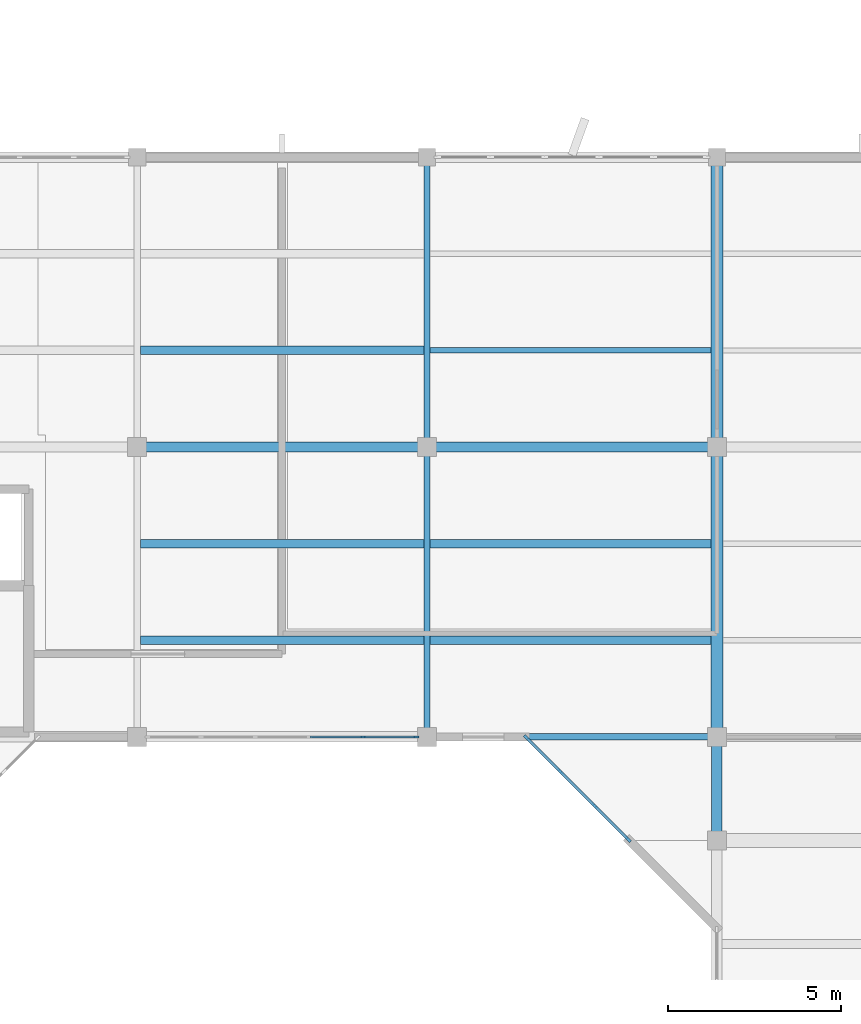
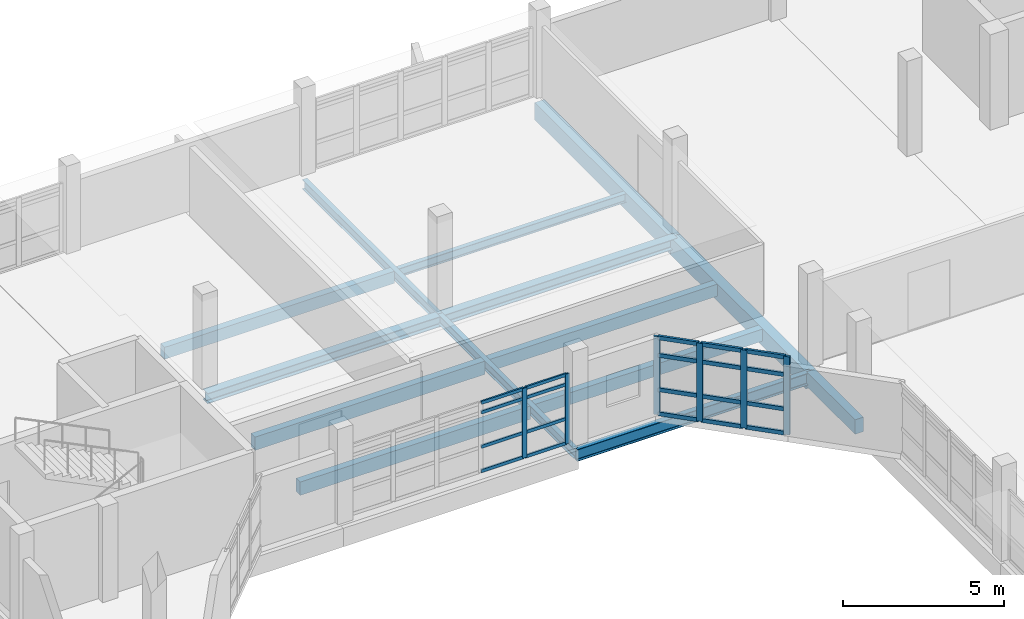
# One storey, part 16 of 51: 26 members, 14 beams, 2 elements without a shape of their own.
"""IFC4 building model written with IfcOpenShell, lengths in metres."""

from ifc_helpers import new_model, si_unit, direction, frame, origin, origin_2d, place, context, subcontext, project, spatial, rectangle, i_section, extrude, material, material_profile, profile_set, type_object, element, aggregate, save


model = new_model("IFC4")

# Units and contexts
model_context = context("Model", 3, precision=1e-05, world=origin(), true_north=direction((0.0, 1.0)))
body_context = subcontext(model_context, "Body", "Model", "MODEL_VIEW")
ifc_project = project(units=[si_unit("LENGTHUNIT", "METRE"), si_unit("AREAUNIT", "SQUARE_METRE"), si_unit("VOLUMEUNIT", "CUBIC_METRE"), si_unit("PLANEANGLEUNIT", "RADIAN"), si_unit("MASSUNIT", "GRAM", prefix="KILO")], contexts=[model_context])

# Site, building, storey
site_placement = place(None, origin())
site = spatial("IfcSite", under=ifc_project, at=site_placement, CompositionType="ELEMENT")
building_placement = place(site_placement, origin())
building = spatial("IfcBuilding", under=site, at=building_placement, Name="Vanh Quang Courtyard School", CompositionType="ELEMENT")
storey_placement = place(building_placement, frame((0.0, 0.0, 11.39990234375)))
storey = spatial("IfcBuildingStorey", under=building, at=storey_placement, Name="L03", CompositionType="ELEMENT", Elevation=11.39990234375)

# Beams
ifc_material_1 = material(Name="Concrete C35/45", Category="concrete")
ifc_material_profile_1 = material_profile(ifc_material_1, rectangle(XDim=0.300048828125, YDim=0.550048828125, at=origin_2d()), Name="RC-BM 300x550")
ifc_profile_set_1 = profile_set([ifc_material_profile_1], Name="Concrete C35/45")
beam_type_1 = type_object("IfcBeamType", Name="BM-RC-300x550", PredefinedType="BEAM", material=ifc_profile_set_1)
beam_1_placement = place(storey_placement, frame((66.0, 68.39990234375, -0.574951171875), z_axis=(0.0, 1.0, 0.0), x_axis=(-1.0, 0.0, 0.0)))
element("IfcBeam", 1, at=beam_1_placement, inside=storey, type_object=beam_type_1, Name="Beam B-07 (L03)", PredefinedType="BEAM", context=body_context, shape_type="SweptSolid", body=[
    extrude(rectangle(XDim=0.300048828125, YDim=0.550048828125, at=origin_2d()), origin(), (0.0, 0.0, 1.0), 3.0),
])
ifc_material_profile_2 = material_profile(ifc_material_1, rectangle(XDim=0.35009765625, YDim=0.64990234375, at=origin_2d()), Name="RC-BM 350x650")
ifc_profile_set_2 = profile_set([ifc_material_profile_2], Name="Concrete C35/45")
beam_type_2 = type_object("IfcBeamType", Name="BM-RC-350x650", PredefinedType="BEAM", material=ifc_profile_set_2)
beam_2_placement = place(storey_placement, frame((66.0, 71.39990234375, -0.625), z_axis=(0.0, 1.0, 0.0), x_axis=(-1.0, 0.0, 0.0)))
element("IfcBeam", 2, at=beam_2_placement, inside=storey, type_object=beam_type_2, Name="Beam B-05 (L03)", PredefinedType="BEAM", context=body_context, shape_type="SweptSolid", body=[
    extrude(rectangle(XDim=0.35009765625, YDim=0.64990234375, at=origin_2d()), origin(), (0.0, 0.0, 1.0), 8.400146484375),
])
beam_3_placement = place(storey_placement, frame((66.0, 79.800048828125, -0.625), z_axis=(0.0, 1.0, 0.0), x_axis=(-1.0, 0.0, 0.0)))
element("IfcBeam", 3, at=beam_3_placement, inside=storey, type_object=beam_type_2, Name="Beam B-05 (L03)", PredefinedType="BEAM", context=body_context, shape_type="SweptSolid", body=[
    extrude(rectangle(XDim=0.35009765625, YDim=0.64990234375, at=origin_2d()), origin(), (0.0, 0.0, 1.0), 8.39990234375),
])
ifc_material_2 = material(Name="Structural steel EN 10025-2 S355J2", Category="steel")
ifc_material_profile_3 = material_profile(ifc_material_2, i_section(OverallWidth=0.300048828125, OverallDepth=0.389892578125, WebThickness=0.010986328125, FlangeThickness=0.01904296875, FilletRadius=0.027099609375, at=origin_2d()), Name="HEA 400")
ifc_profile_set_3 = profile_set([ifc_material_profile_3], Name="Structural steel EN 10025-2 S355J2")
beam_type_3 = type_object("IfcBeamType", Name="BM-STL-HEA400", PredefinedType="BEAM", material=ifc_profile_set_3)
beam_4_placement = place(storey_placement, frame((49.199951171875, 79.800048828125, -0.494873046875), z_axis=(1.0, 0.0, 0.0), x_axis=(0.0, 1.0, 0.0)))
element("IfcBeam", 4, at=beam_4_placement, inside=storey, type_object=beam_type_3, Name="Beam SB-08 (L03)", PredefinedType="BEAM", context=body_context, shape_type="SweptSolid", body=[
    extrude(i_section(OverallWidth=0.300048828125, OverallDepth=0.389892578125, WebThickness=0.010986328125, FlangeThickness=0.01904296875, FilletRadius=0.027099609375, at=origin_2d()), origin(), (0.0, 0.0, 1.0), 8.400146484375),
])
beam_5_placement = place(storey_placement, frame((57.60009765625, 79.800048828125, -0.494873046875), z_axis=(1.0, 0.0, 0.0), x_axis=(0.0, 1.0, 0.0)))
element("IfcBeam", 5, at=beam_5_placement, inside=storey, type_object=beam_type_3, Name="Beam SB-08 (L03)", PredefinedType="BEAM", context=body_context, shape_type="SweptSolid", body=[
    extrude(i_section(OverallWidth=0.300048828125, OverallDepth=0.389892578125, WebThickness=0.010986328125, FlangeThickness=0.01904296875, FilletRadius=0.027099609375, at=origin_2d()), origin(), (0.0, 0.0, 1.0), 8.39990234375),
])
ifc_material_profile_4 = material_profile(ifc_material_2, i_section(OverallWidth=0.169921875, OverallDepth=0.360107421875, WebThickness=0.008056640625, FlangeThickness=0.0126953125, FilletRadius=0.01806640625, at=origin_2d()), Name="IPE 360")
ifc_profile_set_4 = profile_set([ifc_material_profile_4], Name="Structural steel EN 10025-2 S355J2")
beam_type_4 = type_object("IfcBeamType", Name="BM-STL-IPE360", PredefinedType="BEAM", material=ifc_profile_set_4)
beam_6_placement = place(storey_placement, frame((57.60009765625, 71.39990234375, -0.47998046875), z_axis=(0.0, 1.0, 0.0), x_axis=(-1.0, 0.0, 0.0)))
element("IfcBeam", 6, at=beam_6_placement, inside=storey, type_object=beam_type_4, Name="Beam SB-06 (L03)", PredefinedType="BEAM", context=body_context, shape_type="SweptSolid", body=[
    extrude(i_section(OverallWidth=0.169921875, OverallDepth=0.360107421875, WebThickness=0.008056640625, FlangeThickness=0.0126953125, FilletRadius=0.01806640625, at=origin_2d()), origin(), (0.0, 0.0, 1.0), 8.400146484375),
])
beam_7_placement = place(storey_placement, frame((57.60009765625, 79.800048828125, -0.47998046875), z_axis=(0.0, 1.0, 0.0), x_axis=(-1.0, 0.0, 0.0)))
element("IfcBeam", 7, at=beam_7_placement, inside=storey, type_object=beam_type_4, Name="Beam SB-06 (L03)", PredefinedType="BEAM", context=body_context, shape_type="SweptSolid", body=[
    extrude(i_section(OverallWidth=0.169921875, OverallDepth=0.360107421875, WebThickness=0.008056640625, FlangeThickness=0.0126953125, FilletRadius=0.01806640625, at=origin_2d()), origin(), (0.0, 0.0, 1.0), 8.39990234375),
])
ifc_material_profile_5 = material_profile(ifc_material_2, i_section(OverallWidth=0.18994140625, OverallDepth=0.449951171875, WebThickness=0.009521484375, FlangeThickness=0.0146484375, FilletRadius=0.02099609375, at=origin_2d()), Name="IPE 450")
ifc_profile_set_5 = profile_set([ifc_material_profile_5], Name="Structural steel EN 10025-2 S355J2")
beam_type_5 = type_object("IfcBeamType", Name="BM-STL-IPE450", PredefinedType="BEAM", material=ifc_profile_set_5)
beam_8_placement = place(storey_placement, frame((57.60009765625, 71.39990234375, -0.52490234375), z_axis=(1.0, 0.0, 0.0), x_axis=(0.0, 1.0, 0.0)))
element("IfcBeam", 8, at=beam_8_placement, inside=storey, type_object=beam_type_5, Name="Beam SB-04 (L03)", PredefinedType="BEAM", context=body_context, shape_type="SweptSolid", body=[
    extrude(i_section(OverallWidth=0.18994140625, OverallDepth=0.449951171875, WebThickness=0.009521484375, FlangeThickness=0.0146484375, FilletRadius=0.02099609375, at=origin_2d()), origin(), (0.0, 0.0, 1.0), 8.39990234375),
])

# Curtain wall, members
ifc_material_3 = material(Name="Thermally broken aluminium unitised curtain wall", Category="aluminium")
curtain_wall_type_1 = type_object("IfcCurtainWallType", Name="CW-SYS-24", PredefinedType="NOTDEFINED", material=ifc_material_3)
curtain_wall_1_placement = place(storey_placement, origin())
curtain_wall_1 = element("IfcCurtainWall", 9, at=curtain_wall_1_placement, inside=storey, type_object=curtain_wall_type_1, Name="Curtain Wall CW-24 (L03)", PredefinedType="NOTDEFINED")
ifc_material_4 = material(Name="Anodised aluminium 6063-T6", Category="aluminium")
ifc_material_profile_6 = material_profile(ifc_material_4, rectangle(XDim=0.06005859375, YDim=0.159912109375, at=origin_2d()), Name="ALU-MUL 60x160")
ifc_profile_set_6 = profile_set([ifc_material_profile_6], Name="Anodised aluminium 6063-T6")
member_type_1 = type_object("IfcMemberType", Name="CW-MUL-60x160", PredefinedType="MULLION", material=ifc_profile_set_6)
member_1_placement = place(storey_placement, frame((57.287109375, 71.39990234375, 0.0), z_axis=(0.0, 0.0, 1.0), x_axis=(0.0, -1.0, 0.0)))
member_1 = element("IfcMember", 10, at=member_1_placement, type_object=member_type_1, Name="CW-24 mullion 1", PredefinedType="MULLION", context=body_context, shape_type="SweptSolid", body=[
    extrude(rectangle(XDim=0.06005859375, YDim=0.159912109375, at=origin_2d()), origin(), (0.0, 0.0, 1.0), 2.64013671875),
])
member_2_placement = place(storey_placement, frame((55.750244140625, 71.39990234375, 0.0), z_axis=(0.0, 0.0, 1.0), x_axis=(0.0, -1.0, 0.0)))
member_2 = element("IfcMember", 11, at=member_2_placement, type_object=member_type_1, Name="CW-24 mullion 2", PredefinedType="MULLION", context=body_context, shape_type="SweptSolid", body=[
    extrude(rectangle(XDim=0.06005859375, YDim=0.159912109375, at=origin_2d()), origin(), (0.0, 0.0, 1.0), 2.64013671875),
])

curtain_wall_type_2 = type_object("IfcCurtainWallType", Name="CW-SYS-62", PredefinedType="NOTDEFINED", material=ifc_material_3)
curtain_wall_2_placement = place(storey_placement, origin())
curtain_wall_2 = element("IfcCurtainWall", 12, at=curtain_wall_2_placement, inside=storey, type_object=curtain_wall_type_2, Name="Curtain Wall CW-62 (L03)", PredefinedType="NOTDEFINED")
ifc_material_profile_7 = material_profile(ifc_material_4, rectangle(XDim=0.080078125, YDim=0.199951171875, at=origin_2d()), Name="ALU-MUL 80x200")
ifc_profile_set_7 = profile_set([ifc_material_profile_7], Name="Anodised aluminium 6063-T6")
member_type_2 = type_object("IfcMemberType", Name="CW-MUL-80x200", PredefinedType="MULLION", material=ifc_profile_set_7)
member_3_placement = place(storey_placement, frame((63.427734375, 68.42822265625, 0.0), z_axis=(0.0, 0.0, 1.0), x_axis=(-0.707106781187, -0.707106781187, 0.0)))
member_3 = element("IfcMember", 13, at=member_3_placement, type_object=member_type_2, Name="CW-62 mullion 1", PredefinedType="MULLION", context=body_context, shape_type="SweptSolid", body=[
    extrude(rectangle(XDim=0.080078125, YDim=0.199951171875, at=origin_2d()), origin(), (0.0, 0.0, 1.0), 2.9501953125),
])
member_4_placement = place(storey_placement, frame((62.4560546875, 69.39990234375, 0.0), z_axis=(0.0, 0.0, 1.0), x_axis=(-0.707106781187, -0.707106781187, 0.0)))
member_4 = element("IfcMember", 14, at=member_4_placement, type_object=member_type_2, Name="CW-62 mullion 2", PredefinedType="MULLION", context=body_context, shape_type="SweptSolid", body=[
    extrude(rectangle(XDim=0.080078125, YDim=0.199951171875, at=origin_2d()), origin(), (0.0, 0.0, 1.0), 2.9501953125),
])
member_5_placement = place(storey_placement, frame((61.4560546875, 70.39990234375, 0.0), z_axis=(0.0, 0.0, 1.0), x_axis=(-0.707106781187, -0.707106781187, 0.0)))
member_5 = element("IfcMember", 15, at=member_5_placement, type_object=member_type_2, Name="CW-62 mullion 3", PredefinedType="MULLION", context=body_context, shape_type="SweptSolid", body=[
    extrude(rectangle(XDim=0.080078125, YDim=0.199951171875, at=origin_2d()), origin(), (0.0, 0.0, 1.0), 2.9501953125),
])
member_6_placement = place(storey_placement, frame((60.484375, 71.371826171875, 0.0), z_axis=(0.0, 0.0, 1.0), x_axis=(-0.707106781187, -0.707106781187, 0.0)))
member_6 = element("IfcMember", 16, at=member_6_placement, type_object=member_type_2, Name="CW-62 mullion 4", PredefinedType="MULLION", context=body_context, shape_type="SweptSolid", body=[
    extrude(rectangle(XDim=0.080078125, YDim=0.199951171875, at=origin_2d()), origin(), (0.0, 0.0, 1.0), 2.9501953125),
])

# Member
ifc_material_profile_8 = material_profile(ifc_material_4, rectangle(XDim=0.06005859375, YDim=0.1201171875, at=origin_2d()), Name="ALU-TRN 60x120")
ifc_profile_set_8 = profile_set([ifc_material_profile_8], Name="Anodised aluminium 6063-T6")
member_type_3 = type_object("IfcMemberType", Name="CW-TRN-60x120", PredefinedType="USERDEFINED", material=ifc_profile_set_8)
member_7_placement = place(storey_placement, frame((57.257080078125, 71.39990234375, 0.030029296875), z_axis=(-1.0, 0.0, 0.0), x_axis=(0.0, -1.0, 0.0)))
member_7 = element("IfcMember", 17, at=member_7_placement, type_object=member_type_3, Name="CW-24 transom 1.1", ObjectType="TRANSOM", PredefinedType="USERDEFINED", context=body_context, shape_type="SweptSolid", body=[
    extrude(rectangle(XDim=0.06005859375, YDim=0.1201171875, at=origin_2d()), origin(), (0.0, 0.0, 1.0), 1.476806640625),
])

member_8_placement = place(storey_placement, frame((57.257080078125, 71.39990234375, 0.9501953125), z_axis=(-1.0, 0.0, 0.0), x_axis=(0.0, -1.0, 0.0)))
member_8 = element("IfcMember", 18, at=member_8_placement, type_object=member_type_3, Name="CW-24 transom 1.2", ObjectType="TRANSOM", PredefinedType="USERDEFINED", context=body_context, shape_type="SweptSolid", body=[
    extrude(rectangle(XDim=0.06005859375, YDim=0.1201171875, at=origin_2d()), origin(), (0.0, 0.0, 1.0), 1.476806640625),
])

member_9_placement = place(storey_placement, frame((57.257080078125, 71.39990234375, 2.25), z_axis=(-1.0, 0.0, 0.0), x_axis=(0.0, -1.0, 0.0)))
member_9 = element("IfcMember", 19, at=member_9_placement, type_object=member_type_3, Name="CW-24 transom 1.3", ObjectType="TRANSOM", PredefinedType="USERDEFINED", context=body_context, shape_type="SweptSolid", body=[
    extrude(rectangle(XDim=0.06005859375, YDim=0.1201171875, at=origin_2d()), origin(), (0.0, 0.0, 1.0), 1.476806640625),
])

member_10_placement = place(storey_placement, frame((57.257080078125, 71.39990234375, 2.610107421875), z_axis=(-1.0, 0.0, 0.0), x_axis=(0.0, -1.0, 0.0)))
member_10 = element("IfcMember", 20, at=member_10_placement, type_object=member_type_3, Name="CW-24 transom 1.4", ObjectType="TRANSOM", PredefinedType="USERDEFINED", context=body_context, shape_type="SweptSolid", body=[
    extrude(rectangle(XDim=0.06005859375, YDim=0.1201171875, at=origin_2d()), origin(), (0.0, 0.0, 1.0), 1.476806640625),
])

member_11_placement = place(storey_placement, frame((55.72021484375, 71.39990234375, 0.030029296875), z_axis=(-1.0, 0.0, 0.0), x_axis=(0.0, -1.0, 0.0)))
member_11 = element("IfcMember", 21, at=member_11_placement, type_object=member_type_3, Name="CW-24 transom 2.1", ObjectType="TRANSOM", PredefinedType="USERDEFINED", context=body_context, shape_type="SweptSolid", body=[
    extrude(rectangle(XDim=0.06005859375, YDim=0.1201171875, at=origin_2d()), origin(), (0.0, 0.0, 1.0), 1.5068359375),
])

member_12_placement = place(storey_placement, frame((55.72021484375, 71.39990234375, 0.9501953125), z_axis=(-1.0, 0.0, 0.0), x_axis=(0.0, -1.0, 0.0)))
member_12 = element("IfcMember", 22, at=member_12_placement, type_object=member_type_3, Name="CW-24 transom 2.2", ObjectType="TRANSOM", PredefinedType="USERDEFINED", context=body_context, shape_type="SweptSolid", body=[
    extrude(rectangle(XDim=0.06005859375, YDim=0.1201171875, at=origin_2d()), origin(), (0.0, 0.0, 1.0), 1.5068359375),
])

member_13_placement = place(storey_placement, frame((55.72021484375, 71.39990234375, 2.25), z_axis=(-1.0, 0.0, 0.0), x_axis=(0.0, -1.0, 0.0)))
member_13 = element("IfcMember", 23, at=member_13_placement, type_object=member_type_3, Name="CW-24 transom 2.3", ObjectType="TRANSOM", PredefinedType="USERDEFINED", context=body_context, shape_type="SweptSolid", body=[
    extrude(rectangle(XDim=0.06005859375, YDim=0.1201171875, at=origin_2d()), origin(), (0.0, 0.0, 1.0), 1.5068359375),
])

member_14_placement = place(storey_placement, frame((55.72021484375, 71.39990234375, 2.610107421875), z_axis=(-1.0, 0.0, 0.0), x_axis=(0.0, -1.0, 0.0)))
member_14 = element("IfcMember", 24, at=member_14_placement, type_object=member_type_3, Name="CW-24 transom 2.4", ObjectType="TRANSOM", PredefinedType="USERDEFINED", context=body_context, shape_type="SweptSolid", body=[
    extrude(rectangle(XDim=0.06005859375, YDim=0.1201171875, at=origin_2d()), origin(), (0.0, 0.0, 1.0), 1.5068359375),
])

aggregate(curtain_wall_1, [member_1, member_2, member_7, member_8, member_9, member_10, member_11, member_12, member_13, member_14])

ifc_material_profile_9 = material_profile(ifc_material_4, rectangle(XDim=0.080078125, YDim=0.14990234375, at=origin_2d()), Name="ALU-TRN 80x150")
ifc_profile_set_9 = profile_set([ifc_material_profile_9], Name="Anodised aluminium 6063-T6")
member_type_4 = type_object("IfcMemberType", Name="CW-TRN-80x150", PredefinedType="USERDEFINED", material=ifc_profile_set_9)
member_15_placement = place(storey_placement, frame((63.3994140625, 68.45654296875, 0.0400390625), z_axis=(-0.707012456265, 0.707201093527, 0.0), x_axis=(-0.707201093527, -0.707012456265, 0.0)))
member_15 = element("IfcMember", 25, at=member_15_placement, type_object=member_type_4, Name="CW-62 transom 1.1", ObjectType="TRANSOM", PredefinedType="USERDEFINED", context=body_context, shape_type="SweptSolid", body=[
    extrude(rectangle(XDim=0.080078125, YDim=0.14990234375, at=origin_2d()), origin(), (0.0, 0.0, 1.0), 1.294189453125),
])

member_16_placement = place(storey_placement, frame((63.3994140625, 68.45654296875, 0.9501953125), z_axis=(-0.707012456265, 0.707201093527, 0.0), x_axis=(-0.707201093527, -0.707012456265, 0.0)))
member_16 = element("IfcMember", 26, at=member_16_placement, type_object=member_type_4, Name="CW-62 transom 1.2", ObjectType="TRANSOM", PredefinedType="USERDEFINED", context=body_context, shape_type="SweptSolid", body=[
    extrude(rectangle(XDim=0.080078125, YDim=0.14990234375, at=origin_2d()), origin(), (0.0, 0.0, 1.0), 1.294189453125),
])

member_17_placement = place(storey_placement, frame((63.3994140625, 68.45654296875, 2.25), z_axis=(-0.707012456265, 0.707201093527, 0.0), x_axis=(-0.707201093527, -0.707012456265, 0.0)))
member_17 = element("IfcMember", 27, at=member_17_placement, type_object=member_type_4, Name="CW-62 transom 1.3", ObjectType="TRANSOM", PredefinedType="USERDEFINED", context=body_context, shape_type="SweptSolid", body=[
    extrude(rectangle(XDim=0.080078125, YDim=0.14990234375, at=origin_2d()), origin(), (0.0, 0.0, 1.0), 1.294189453125),
])

member_18_placement = place(storey_placement, frame((63.3994140625, 68.45654296875, 2.91015625), z_axis=(-0.707012456265, 0.707201093527, 0.0), x_axis=(-0.707201093527, -0.707012456265, 0.0)))
member_18 = element("IfcMember", 28, at=member_18_placement, type_object=member_type_4, Name="CW-62 transom 1.4", ObjectType="TRANSOM", PredefinedType="USERDEFINED", context=body_context, shape_type="SweptSolid", body=[
    extrude(rectangle(XDim=0.080078125, YDim=0.14990234375, at=origin_2d()), origin(), (0.0, 0.0, 1.0), 1.294189453125),
])

member_19_placement = place(storey_placement, frame((62.427734375, 69.42822265625, 0.0400390625), z_axis=(-0.707015287783, 0.707198262754, 0.0), x_axis=(-0.707198262754, -0.707015287783, 0.0)))
member_19 = element("IfcMember", 29, at=member_19_placement, type_object=member_type_4, Name="CW-62 transom 2.1", ObjectType="TRANSOM", PredefinedType="USERDEFINED", context=body_context, shape_type="SweptSolid", body=[
    extrude(rectangle(XDim=0.080078125, YDim=0.14990234375, at=origin_2d()), origin(), (0.0, 0.0, 1.0), 1.334228515625),
])

member_20_placement = place(storey_placement, frame((62.427734375, 69.42822265625, 0.9501953125), z_axis=(-0.707015287783, 0.707198262754, 0.0), x_axis=(-0.707198262754, -0.707015287783, 0.0)))
member_20 = element("IfcMember", 30, at=member_20_placement, type_object=member_type_4, Name="CW-62 transom 2.2", ObjectType="TRANSOM", PredefinedType="USERDEFINED", context=body_context, shape_type="SweptSolid", body=[
    extrude(rectangle(XDim=0.080078125, YDim=0.14990234375, at=origin_2d()), origin(), (0.0, 0.0, 1.0), 1.334228515625),
])

member_21_placement = place(storey_placement, frame((62.427734375, 69.42822265625, 2.25), z_axis=(-0.707015287783, 0.707198262754, 0.0), x_axis=(-0.707198262754, -0.707015287783, 0.0)))
member_21 = element("IfcMember", 31, at=member_21_placement, type_object=member_type_4, Name="CW-62 transom 2.3", ObjectType="TRANSOM", PredefinedType="USERDEFINED", context=body_context, shape_type="SweptSolid", body=[
    extrude(rectangle(XDim=0.080078125, YDim=0.14990234375, at=origin_2d()), origin(), (0.0, 0.0, 1.0), 1.334228515625),
])

member_22_placement = place(storey_placement, frame((62.427734375, 69.42822265625, 2.91015625), z_axis=(-0.707015287783, 0.707198262754, 0.0), x_axis=(-0.707198262754, -0.707015287783, 0.0)))
member_22 = element("IfcMember", 32, at=member_22_placement, type_object=member_type_4, Name="CW-62 transom 2.4", ObjectType="TRANSOM", PredefinedType="USERDEFINED", context=body_context, shape_type="SweptSolid", body=[
    extrude(rectangle(XDim=0.080078125, YDim=0.14990234375, at=origin_2d()), origin(), (0.0, 0.0, 1.0), 1.334228515625),
])

member_23_placement = place(storey_placement, frame((61.427734375, 70.42822265625, 0.0400390625), z_axis=(-0.707106781187, 0.707106781187, 0.0), x_axis=(-0.707106781187, -0.707106781187, 0.0)))
member_23 = element("IfcMember", 33, at=member_23_placement, type_object=member_type_4, Name="CW-62 transom 3.1", ObjectType="TRANSOM", PredefinedType="USERDEFINED", context=body_context, shape_type="SweptSolid", body=[
    extrude(rectangle(XDim=0.080078125, YDim=0.14990234375, at=origin_2d()), origin(), (0.0, 0.0, 1.0), 1.29443359375),
])

member_24_placement = place(storey_placement, frame((61.427734375, 70.42822265625, 0.9501953125), z_axis=(-0.707106781187, 0.707106781187, 0.0), x_axis=(-0.707106781187, -0.707106781187, 0.0)))
member_24 = element("IfcMember", 34, at=member_24_placement, type_object=member_type_4, Name="CW-62 transom 3.2", ObjectType="TRANSOM", PredefinedType="USERDEFINED", context=body_context, shape_type="SweptSolid", body=[
    extrude(rectangle(XDim=0.080078125, YDim=0.14990234375, at=origin_2d()), origin(), (0.0, 0.0, 1.0), 1.29443359375),
])

member_25_placement = place(storey_placement, frame((61.427734375, 70.42822265625, 2.25), z_axis=(-0.707106781187, 0.707106781187, 0.0), x_axis=(-0.707106781187, -0.707106781187, 0.0)))
member_25 = element("IfcMember", 35, at=member_25_placement, type_object=member_type_4, Name="CW-62 transom 3.3", ObjectType="TRANSOM", PredefinedType="USERDEFINED", context=body_context, shape_type="SweptSolid", body=[
    extrude(rectangle(XDim=0.080078125, YDim=0.14990234375, at=origin_2d()), origin(), (0.0, 0.0, 1.0), 1.29443359375),
])

member_26_placement = place(storey_placement, frame((61.427734375, 70.42822265625, 2.91015625), z_axis=(-0.707106781187, 0.707106781187, 0.0), x_axis=(-0.707106781187, -0.707106781187, 0.0)))
member_26 = element("IfcMember", 36, at=member_26_placement, type_object=member_type_4, Name="CW-62 transom 3.4", ObjectType="TRANSOM", PredefinedType="USERDEFINED", context=body_context, shape_type="SweptSolid", body=[
    extrude(rectangle(XDim=0.080078125, YDim=0.14990234375, at=origin_2d()), origin(), (0.0, 0.0, 1.0), 1.29443359375),
])

aggregate(curtain_wall_2, [member_3, member_4, member_5, member_6, member_15, member_16, member_17, member_18, member_19, member_20, member_21, member_22, member_23, member_24, member_25, member_26])

# Beams
ifc_material_5 = material(Name="Concrete C30/37", Category="concrete")
ifc_material_profile_10 = material_profile(ifc_material_5, rectangle(XDim=0.25, YDim=0.449951171875, at=origin_2d()), Name="RC-JST 250x450")
ifc_profile_set_10 = profile_set([ifc_material_profile_10], Name="Concrete C30/37")
beam_type_6 = type_object("IfcBeamType", Name="JST-RC-250x450", PredefinedType="JOIST", material=ifc_profile_set_10)
beam_9_placement = place(storey_placement, frame((49.2900390625, 82.60009765625, -0.52490234375), z_axis=(1.0, 0.0, 0.0), x_axis=(0.0, 1.0, 0.0)))
element("IfcBeam", 37, at=beam_9_placement, inside=storey, type_object=beam_type_6, Name="Beam BJ-02 (L03)", PredefinedType="JOIST", context=body_context, shape_type="SweptSolid", body=[
    extrude(rectangle(XDim=0.25, YDim=0.449951171875, at=origin_2d()), origin(), (0.0, 0.0, 1.0), 8.224853515625),
])
for number, where, z_axis, x_axis, name in (
    (38, (57.68505859375, 74.199951171875, -0.52490234375), (1.0, 0.0, 0.0), (0.0, 1.0, 0.0), "Beam BJ-02 (L03)"),
    (39, (57.68505859375, 77.0, -0.52490234375), (1.0, 0.0, 0.0), (0.0, 1.0, 0.0), "Beam BJ-02 (L03)"),
):
    element("IfcBeam", number, at=place(storey_placement, frame(where, z_axis=z_axis, x_axis=x_axis)), inside=storey, type_object=beam_type_6, Name=name, PredefinedType="JOIST", context=body_context, shape_type="SweptSolid", body=[
        extrude(rectangle(XDim=0.25, YDim=0.449951171875, at=origin_2d()), origin(), (0.0, 0.0, 1.0), 8.139892578125),
    ])
ifc_material_profile_11 = material_profile(ifc_material_5, rectangle(XDim=0.25, YDim=0.5, at=origin_2d()), Name="RC-JST 250x500")
ifc_profile_set_11 = profile_set([ifc_material_profile_11], Name="Concrete C30/37")
beam_type_7 = type_object("IfcBeamType", Name="JST-RC-250x500", PredefinedType="JOIST", material=ifc_profile_set_11)
for number, where, z_axis, x_axis, name in (
    (40, (49.2900390625, 74.199951171875, -0.5498046875), (1.0, 0.0, 0.0), (0.0, 1.0, 0.0), "Beam BJ-01 (L03)"),
    (41, (49.2900390625, 77.0, -0.5498046875), (1.0, 0.0, 0.0), (0.0, 1.0, 0.0), "Beam BJ-01 (L03)"),
):
    element("IfcBeam", number, at=place(storey_placement, frame(where, z_axis=z_axis, x_axis=x_axis)), inside=storey, type_object=beam_type_7, Name=name, PredefinedType="JOIST", context=body_context, shape_type="SweptSolid", body=[
        extrude(rectangle(XDim=0.25, YDim=0.5, at=origin_2d()), origin(), (0.0, 0.0, 1.0), 8.224853515625),
    ])
ifc_material_profile_12 = material_profile(ifc_material_2, i_section(OverallWidth=0.159912109375, OverallDepth=0.330078125, WebThickness=0.007568359375, FlangeThickness=0.011474609375, FilletRadius=0.01806640625, at=origin_2d()), Name="IPE 330")
ifc_profile_set_12 = profile_set([ifc_material_profile_12], Name="Structural steel EN 10025-2 S355J2")
beam_type_8 = type_object("IfcBeamType", Name="JST-STL-IPE330", PredefinedType="JOIST", material=ifc_profile_set_12)
beam_10_placement = place(storey_placement, frame((57.68505859375, 82.60009765625, -0.46484375), z_axis=(1.0, 0.0, 0.0), x_axis=(0.0, 1.0, 0.0)))
element("IfcBeam", 42, at=beam_10_placement, inside=storey, type_object=beam_type_8, Name="Beam SJ-01 (L03)", PredefinedType="JOIST", context=body_context, shape_type="SweptSolid", body=[
    extrude(i_section(OverallWidth=0.159912109375, OverallDepth=0.330078125, WebThickness=0.007568359375, FlangeThickness=0.011474609375, FilletRadius=0.01806640625, at=origin_2d()), origin(), (0.0, 0.0, 1.0), 8.139892578125),
])

save(model, "model.ifc")
